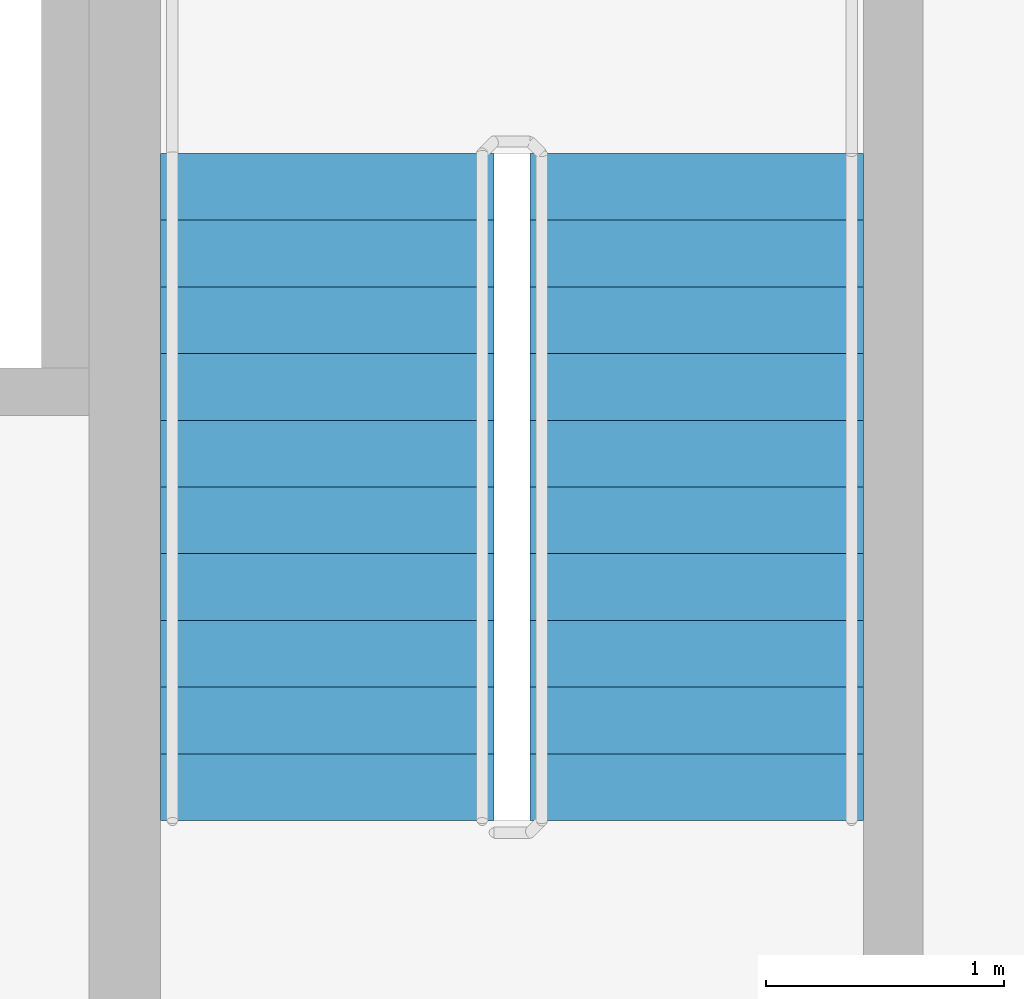
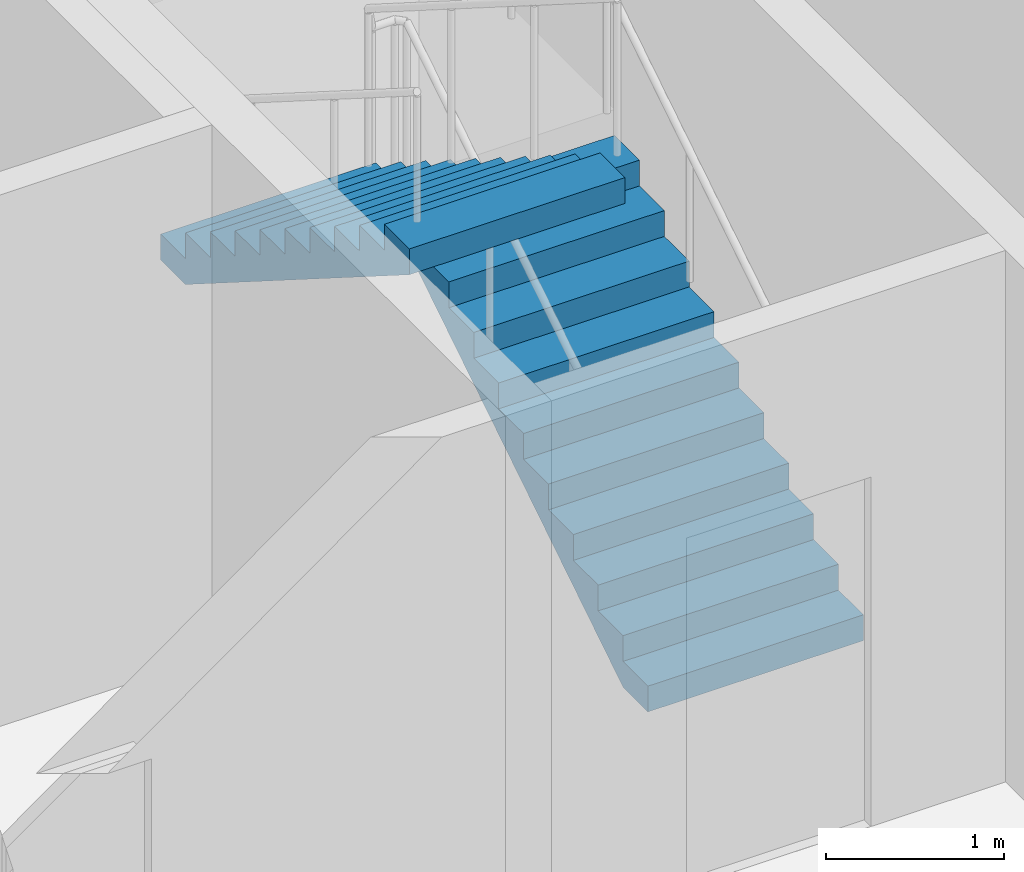
# One storey, part 10 of 11: 2 stair flights, 1 element without a shape of its own.
"""IFC4 building model written with IfcOpenShell, lengths in metres."""

from ifc_helpers import new_model, si_unit, direction, frame, origin, place, context, subcontext, project, spatial, polyline, outline, extrude, material, type_object, element, aggregate, save


model = new_model("IFC4")

# Units and contexts
model_context = context("Model", 3, precision=1e-05, world=origin(), true_north=direction((0.0, 1.0)))
body_context = subcontext(model_context, "Body", "Model", "MODEL_VIEW")
ifc_project = project(units=[si_unit("LENGTHUNIT", "METRE"), si_unit("AREAUNIT", "SQUARE_METRE"), si_unit("VOLUMEUNIT", "CUBIC_METRE"), si_unit("PLANEANGLEUNIT", "RADIAN"), si_unit("MASSUNIT", "GRAM", prefix="KILO")], contexts=[model_context])

# Site, building, storey
site_placement = place(None, origin())
site = spatial("IfcSite", under=ifc_project, at=site_placement, CompositionType="ELEMENT")
building_placement = place(site_placement, origin())
building = spatial("IfcBuilding", under=site, at=building_placement, Name="Tarnside Tower", CompositionType="ELEMENT")
storey_placement = place(building_placement, frame((0.0, 0.0, 183.89990234375)))
storey = spatial("IfcBuildingStorey", under=building, at=storey_placement, Name="L43", CompositionType="ELEMENT", Elevation=183.89990234375)

# Stair, stair flights
ifc_material = material(Name="Concrete C40/50", Category="concrete")
stair_type = type_object("IfcStairType", Name="Exit stair 1400 clear", PredefinedType="HALF_TURN_STAIR", material=ifc_material)
stair_placement = place(storey_placement, origin())
stair = element("IfcStair", 1, at=stair_placement, inside=storey, type_object=stair_type, Name="L43 Exit stair 1", PredefinedType="HALF_TURN_STAIR")
stair_flight_type = type_object("IfcStairFlightType", Name="Exit stair flight 1400", PredefinedType="STRAIGHT", material=ifc_material)
stair_flight_1_placement = place(storey_placement, frame((8.14990234375, -1.800048828125, 0.0), z_axis=(0.0, 0.0, 1.0), x_axis=(0.0, 1.0, 0.0)))
stair_flight_1 = element("IfcStairFlight", 2, at=stair_flight_1_placement, type_object=stair_flight_type, Name="ST1 flight 1", NumberOfRisers=11, NumberOfTreads=10, PredefinedType="STRAIGHT", RiserHeight=0.177272727, TreadLength=0.28, context=body_context, shape_type="SweptSolid", body=[
    extrude(outline(polyline([(0.0, 0.0), (0.0, 0.17724609375), (0.280029296875, 0.17724609375), (0.280029296875, 0.3544921875), (0.56005859375, 0.3544921875), (0.56005859375, 0.53173828125), (0.840087890625, 0.53173828125), (0.840087890625, 0.708984375), (1.1201171875, 0.708984375), (1.1201171875, 0.886474609375), (1.39990234375, 0.886474609375), (1.39990234375, 1.063720703125), (1.679931640625, 1.063720703125), (1.679931640625, 1.240966796875), (1.9599609375, 1.240966796875), (1.9599609375, 1.418212890625), (2.239990234375, 1.418212890625), (2.239990234375, 1.595458984375), (2.52001953125, 1.595458984375), (2.52001953125, 1.772705078125), (2.800048828125, 1.772705078125), (2.800048828125, 1.949951171875), (2.800048828125, 1.59521484375), (0.2802734375, 0.0), (0.0, 0.0)])), frame((0.0, 0.699951171875, 0.0), z_axis=(0.0, -1.0, 0.0), x_axis=(1.0, 0.0, 0.0)), (0.0, 0.0, 1.0), 1.39990234375),
])
stair_flight_2_placement = place(storey_placement, frame((6.60009765625, 1.0, 1.9501953125), z_axis=(0.0, 0.0, 1.0), x_axis=(0.0, -1.0, 0.0)))
stair_flight_2 = element("IfcStairFlight", 3, at=stair_flight_2_placement, type_object=stair_flight_type, Name="ST1 flight 2", NumberOfRisers=11, NumberOfTreads=10, PredefinedType="STRAIGHT", RiserHeight=0.177272727, TreadLength=0.28, context=body_context, shape_type="SweptSolid", body=[
    extrude(outline(polyline([(0.0, 0.0), (0.0, 0.17724609375), (0.280029296875, 0.17724609375), (0.280029296875, 0.3544921875), (0.56005859375, 0.3544921875), (0.56005859375, 0.53173828125), (0.840087890625, 0.53173828125), (0.840087890625, 0.708984375), (1.1201171875, 0.708984375), (1.1201171875, 0.886474609375), (1.39990234375, 0.886474609375), (1.39990234375, 1.063720703125), (1.679931640625, 1.063720703125), (1.679931640625, 1.240966796875), (1.9599609375, 1.240966796875), (1.9599609375, 1.418212890625), (2.239990234375, 1.418212890625), (2.239990234375, 1.595458984375), (2.52001953125, 1.595458984375), (2.52001953125, 1.772705078125), (2.800048828125, 1.772705078125), (2.800048828125, 1.949951171875), (2.800048828125, 1.59521484375), (0.2802734375, 0.0), (0.0, 0.0)])), frame((0.0, 0.699951171875, 0.0), z_axis=(0.0, -1.0, 0.0), x_axis=(1.0, 0.0, 0.0)), (0.0, 0.0, 1.0), 1.39990234375),
])
aggregate(stair, [stair_flight_1, stair_flight_2])

save(model, "model.ifc")
